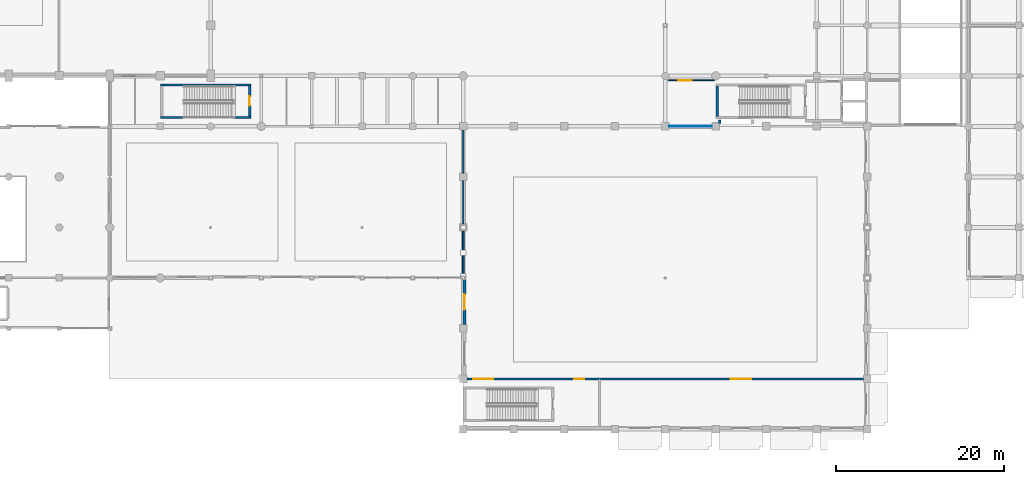
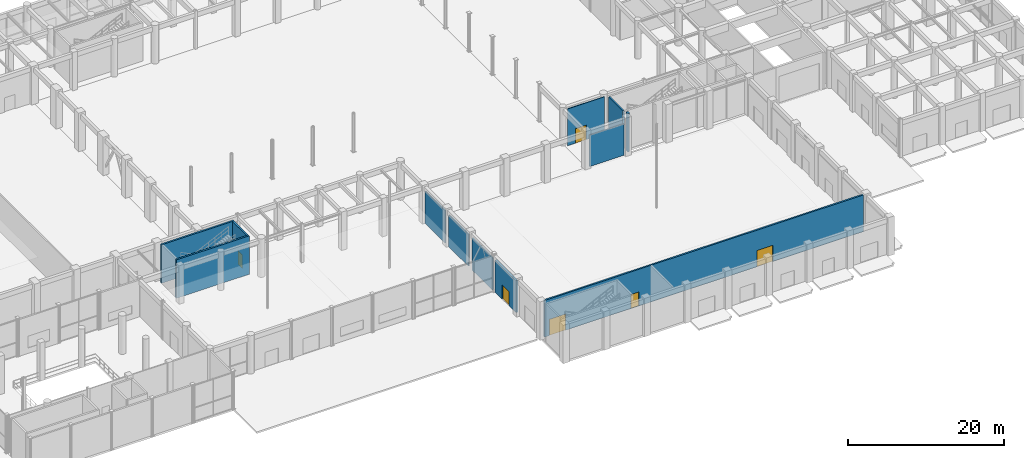
# One storey, part 80 of 106: 12 walls, 6 doors, 6 openings.
"""IFC4 building model written with IfcOpenShell, lengths in metres."""

import ifcopenshell
import ifcopenshell.guid

model = None  # the IFC model being written
_history = None  # IfcOwnerHistory: only IFC2X3 demands one
_inside = {}  # id of a spatial element -> (the spatial element, [elements in it])
_under = {}  # id of a project, library or spatial element -> (it, [spatial elements below it])
_declared = {}  # id of a project -> (the project, [libraries it declares])
_typed = {}  # id of a type object -> (the type object, [elements of that type])
_made_of = {}  # id of a material, layer set ... -> (it, [elements and type objects made of it])


def new_model(schema):
    """Start an empty IFC model of exactly this schema.

    Asked for "IFC4X3", IfcOpenShell would pick the latest addendum, in which some entities
    have other attributes; the version numbers below select the first issue.
    IFC2X3 requires an IfcOwnerHistory on every rooted entity: one is made here for all.
    """
    global model, _history
    if schema == "IFC4X3":
        model = ifcopenshell.file(schema_version=(4, 3, 0, 0))
    else:
        model = ifcopenshell.file(schema=schema)
    _inside.clear()
    _under.clear()
    _declared.clear()
    _typed.clear()
    _made_of.clear()
    _history = None
    if model.schema == "IFC2X3":
        org = make("IfcOrganization", Name="unknown")
        user = make(
            "IfcPersonAndOrganization",
            ThePerson=make("IfcPerson", FamilyName="unknown"),
            TheOrganization=org,
        )
        app = make(
            "IfcApplication",
            ApplicationDeveloper=org,
            Version="unknown",
            ApplicationFullName="unknown",
            ApplicationIdentifier="unknown",
        )
        _history = make(
            "IfcOwnerHistory",
            OwningUser=user,
            OwningApplication=app,
            ChangeAction="ADDED",
            CreationDate=0,
        )
    return model


def make(cls, **values):
    """One entity of the class cls with the attributes given. An attribute that is None is left unset."""
    return model.create_entity(
        cls, **{name: value for name, value in values.items() if value is not None}
    )


def rooted(cls, **values):
    """An entity with a GlobalId (a new one), such as an element, a storey or a relation."""
    return make(cls, GlobalId=ifcopenshell.guid.new(), OwnerHistory=_history, **values)


def si_unit(unit_type, name, prefix=None):
    """IfcSIUnit, for example si_unit("LENGTHUNIT", "METRE", prefix="MILLI")."""
    return make("IfcSIUnit", UnitType=unit_type, Prefix=prefix, Name=name)


def assignment(units):
    """IfcUnitAssignment: the units of a project."""
    return None if units is None else make("IfcUnitAssignment", Units=units)


def point(xyz):
    """IfcCartesianPoint."""
    return None if xyz is None else make("IfcCartesianPoint", Coordinates=xyz)


def direction(xyz):
    """IfcDirection."""
    return None if xyz is None else make("IfcDirection", DirectionRatios=xyz)


def frame(location, z_axis=None, x_axis=None):
    """IfcAxis2Placement3D, a coordinate frame: its origin and axes. An axis left out is left unset."""
    return make(
        "IfcAxis2Placement3D",
        Location=point(location),
        Axis=direction(z_axis),
        RefDirection=direction(x_axis),
    )


def frame_2d(location, x_axis=None):
    """IfcAxis2Placement2D, a coordinate frame in the plane: its origin and x axis."""
    return make(
        "IfcAxis2Placement2D", Location=point(location), RefDirection=direction(x_axis)
    )


def origin():
    """The frame at (0, 0, 0) with its axes left unset."""
    return frame((0.0, 0.0, 0.0))


def place(relative_to, where):
    """IfcLocalPlacement: puts the frame where relative to a parent placement (None: the world)."""
    return make(
        "IfcLocalPlacement", PlacementRelTo=relative_to, RelativePlacement=where
    )


def context(
    kind, dimensions, precision=None, world=None, true_north=None, identifier=None
):
    """IfcGeometricRepresentationContext, for example the 3D "Model" context."""
    return make(
        "IfcGeometricRepresentationContext",
        ContextIdentifier=identifier,
        ContextType=kind,
        CoordinateSpaceDimension=dimensions,
        Precision=precision,
        WorldCoordinateSystem=world,
        TrueNorth=true_north,
    )


def subcontext(parent, identifier, kind, view, scale=None):
    """IfcGeometricRepresentationSubContext, for example "Body" below "Model"."""
    return make(
        "IfcGeometricRepresentationSubContext",
        ContextIdentifier=identifier,
        ContextType=kind,
        ParentContext=parent,
        TargetScale=scale,
        TargetView=view,
    )


def project(units=None, contexts=None):
    """IfcProject with its units and contexts."""
    return rooted(
        "IfcProject",
        Name="project",
        RepresentationContexts=contexts,
        UnitsInContext=assignment(units),
    )


def spatial(cls, under=None, at=None, **own):
    """A site, building, storey or space (cls), placed at a placement, below another one or the project."""
    s = rooted(cls, ObjectPlacement=at, **own)
    if under is not None:
        _under.setdefault(under.id(), (under, []))[1].append(s)
    return s


def profile(cls, at=None, kind="AREA", **sizes):
    """A parametric profile (cls). Its sizes go by their IFC names, for example OverallWidth=200.0."""
    return make(cls, ProfileType=kind, Position=at, **sizes)


def rectangle(**sizes):
    """IfcRectangleProfileDef."""
    return profile("IfcRectangleProfileDef", **sizes)


def extrude(swept, where, along, depth):
    """IfcExtrudedAreaSolid: the profile swept, set in the frame where, extruded along a direction by depth."""
    return make(
        "IfcExtrudedAreaSolid",
        SweptArea=swept,
        Position=where,
        ExtrudedDirection=direction(along),
        Depth=depth,
    )


def shape(context_of_items, identifier, shape_type, items):
    """IfcShapeRepresentation: the items that make up one representation, for example the "Body"."""
    return make(
        "IfcShapeRepresentation",
        ContextOfItems=context_of_items,
        RepresentationIdentifier=identifier,
        RepresentationType=shape_type,
        Items=items,
    )


def material(Name=None, Category=None):
    """IfcMaterial."""
    return make("IfcMaterial", Name=Name, Category=Category)


def layer(
    of_material, thickness, ventilated=None, Name=None, Category=None, Priority=None
):
    """IfcMaterialLayer: one layer of a wall or slab, of a material (None: an air gap)."""
    return make(
        "IfcMaterialLayer",
        Material=of_material,
        LayerThickness=thickness,
        IsVentilated=ventilated,
        Name=Name,
        Category=Category,
        Priority=Priority,
    )


def layer_set(layers, Name=None):
    """IfcMaterialLayerSet."""
    return make("IfcMaterialLayerSet", MaterialLayers=layers, LayerSetName=Name)


def made_of(thing, what):
    """Note that an element or type object is made of a material, layer set ...; save() writes the relation."""
    if what is not None:
        _made_of.setdefault(what.id(), (what, []))[1].append(thing)
    return thing


def type_object(cls, material=None, **own):
    """A type object (cls), such as IfcWallType, which elements share."""
    return made_of(rooted(cls, **own), material)


def element(
    cls,
    number,
    at=None,
    inside=None,
    cuts=None,
    type_object=None,
    material=None,
    context=None,
    identifier="Body",
    shape_type=None,
    held_by="IfcProductDefinitionShape",
    body=None,
    shapes=None,
    **own,
):
    """One element of the class cls, such as IfcWall. Its Tag is "e" and its number.

    at: its placement. inside: the storey or other place that contains it. cuts: it is an
    opening in that element (IfcRelVoidsElement). A single representation is given by context,
    identifier, shape_type and body (its items); several are given by shapes. held_by: the class
    of the entity that holds the representations. save() writes the other relations.
    """
    e = rooted(cls, Tag="e%d" % number, ObjectPlacement=at, **own)
    if body is not None:
        shapes = [shape(context, identifier, shape_type, body)]
    if shapes is not None:
        e.Representation = make(held_by, Representations=shapes)
    if inside is not None:
        _inside.setdefault(inside.id(), (inside, []))[1].append(e)
    if cuts is not None:
        rooted(
            "IfcRelVoidsElement", RelatingBuildingElement=cuts, RelatedOpeningElement=e
        )
    if type_object is not None:
        _typed.setdefault(type_object.id(), (type_object, []))[1].append(e)
    return made_of(e, material)


def fill(opening, filler):
    """IfcRelFillsElement: the door or window that sits in an opening."""
    return rooted(
        "IfcRelFillsElement",
        RelatingOpeningElement=opening,
        RelatedBuildingElement=filler,
    )


def aggregate(whole, parts):
    """IfcRelAggregates: a whole, such as a stair, and the parts it consists of."""
    return rooted("IfcRelAggregates", RelatingObject=whole, RelatedObjects=parts)


def save(model, path):
    """Write the relations noted so far, then the file.

    IfcRelAggregates (storeys below a building ...), IfcRelContainedInSpatialStructure (elements
    in a storey), IfcRelDefinesByType, IfcRelAssociatesMaterial and IfcRelDeclares: one each for
    every whole, place, type object, material and project.
    """
    for whole, parts in _under.values():
        aggregate(whole, parts)
    for where, things in _inside.values():
        rooted(
            "IfcRelContainedInSpatialStructure",
            RelatedElements=things,
            RelatingStructure=where,
        )
    for kind, things in _typed.values():
        rooted("IfcRelDefinesByType", RelatedObjects=things, RelatingType=kind)
    for what, things in _made_of.values():
        rooted("IfcRelAssociatesMaterial", RelatedObjects=things, RelatingMaterial=what)
    for by, libraries in _declared.values():
        rooted("IfcRelDeclares", RelatingContext=by, RelatedDefinitions=libraries)
    model.write(path)


model = new_model("IFC4")

# Units and contexts
model_context = context("Model", 3, precision=1e-05, world=origin(), true_north=direction((0.0, 1.0)))
body_context = subcontext(model_context, "Body", "Model", "MODEL_VIEW")
ifc_project = project(units=[si_unit("LENGTHUNIT", "METRE"), si_unit("AREAUNIT", "SQUARE_METRE"), si_unit("VOLUMEUNIT", "CUBIC_METRE"), si_unit("PLANEANGLEUNIT", "RADIAN"), si_unit("MASSUNIT", "GRAM", prefix="KILO"), si_unit("THERMODYNAMICTEMPERATUREUNIT", "KELVIN"), si_unit("POWERUNIT", "WATT")], contexts=[model_context])

# Site, building, storey
site_placement = place(None, origin())
site = spatial("IfcSite", under=ifc_project, at=site_placement, CompositionType="ELEMENT")
building_placement = place(site_placement, origin())
building = spatial("IfcBuilding", under=site, at=building_placement, Name="Phaisarnlok Congress Hotel", CompositionType="ELEMENT")
storey_placement = place(building_placement, origin())
storey = spatial("IfcBuildingStorey", under=building, at=storey_placement, Name="L00", CompositionType="ELEMENT", Elevation=0.0)

# Wall, opening, door
ifc_material_1 = material(Name="Concrete C40/50", Category="concrete")
ifc_layer_1 = layer(ifc_material_1, 0.320068359375, Name="Concrete C40/50")
ifc_layer_set_1 = layer_set([ifc_layer_1], Name="Concrete C40/50")
wall_type_1 = type_object("IfcWallType", Name="WL-EXT-320", PredefinedType="SOLIDWALL", material=ifc_layer_set_1)
wall_1_placement = place(storey_placement, frame((96.159912109375, 17.791748046875, 0.0), z_axis=(0.0, 0.0, 1.0), x_axis=(0.0, -1.0, 0.0)))
wall_1 = element("IfcWall", 1, at=wall_1_placement, inside=storey, type_object=wall_type_1, Name="Exterior wall EW-02 (L00)", PredefinedType="SOLIDWALL", context=body_context, shape_type="SweptSolid", body=[
    extrude(rectangle(XDim=5.336669921875, YDim=0.320068359375, at=frame_2d((2.66845703125, 0.0))), origin(), (0.0, 0.0, 1.0), 4.989990234375),
])
opening_1_placement = place(wall_1_placement, frame((1.76806640625, 0.0, 0.0)))
opening_1 = element("IfcOpeningElement", 2, at=opening_1_placement, cuts=wall_1, Name="Opening FE-02", PredefinedType="OPENING", context=body_context, shape_type="SweptSolid", body=[
    extrude(rectangle(XDim=1.800048828125, YDim=2.25, at=frame_2d((0.89990234375, 1.125))), frame((0.0, 0.169921875, 0.0), z_axis=(0.0, -1.0, 0.0), x_axis=(1.0, 0.0, 0.0)), (0.0, 0.0, 1.0), 0.340087890625),
])
ifc_material_2 = material(Name="Powder-Coated Steel & Laminated Safety Glass", Category="steel")
door_type_1 = type_object("IfcDoorType", Name="DR-EXIT-1800", OperationType="DOUBLE_DOOR_SINGLE_SWING", PredefinedType="DOOR", material=ifc_material_2)
door_1_placement = place(opening_1_placement, frame((1.800048828125, 0.0, 0.0), z_axis=(0.0, 0.0, 1.0), x_axis=(-1.0, 0.0, 0.0)))
door_1 = element("IfcDoor", 3, at=door_1_placement, inside=storey, type_object=door_type_1, Name="Ground final exit door FE-02", OperationType="SINGLE_SWING_LEFT", OverallHeight=2.25, OverallWidth=1.800048828125, PredefinedType="DOOR", context=body_context, shape_type="SweptSolid", body=[
    extrude(rectangle(XDim=1.800048828125, YDim=2.25, at=frame_2d((0.89990234375, 1.125))), frame((0.0, 0.02490234375, 0.0), z_axis=(0.0, -1.0, 0.0), x_axis=(1.0, 0.0, 0.0)), (0.0, 0.0, 1.0), 0.050048828125),
])
fill(opening_1, door_1)

# Wall
ifc_material_3 = material(Name="Service Riser Shaftwall Partition", Category="gypsum")
ifc_layer_2 = layer(ifc_material_3, 0.10498046875, Name="Service Riser Shaftwall Partition")
ifc_layer_set_2 = layer_set([ifc_layer_2], Name="Service Riser Shaftwall Partition")
wall_type_2 = type_object("IfcWallType", Name="WL-INT-105", PredefinedType="PARTITIONING", material=ifc_layer_set_2)
wall_2_placement = place(storey_placement, frame((120.455078125, 36.0, 0.0), z_axis=(0.0, 0.0, 1.0), x_axis=(1.0, 0.0, 0.0)))
element("IfcWall", 4, at=wall_2_placement, inside=storey, type_object=wall_type_2, Name="Interior partition wall IW-08 (L00)", PredefinedType="PARTITIONING", context=body_context, shape_type="SweptSolid", body=[
    extrude(rectangle(XDim=5.08984375, YDim=0.10498046875, at=frame_2d((2.544921875, 0.0))), origin(), (0.0, 0.0, 1.0), 4.93994140625),
])

# Wall, opening, door
ifc_material_4 = material(Name="Lightweight Metal-Stud Gypsum Partition", Category="gypsum")
ifc_layer_3 = layer(ifc_material_4, 0.1201171875, Name="Lightweight Metal-Stud Gypsum Partition")
ifc_layer_set_3 = layer_set([ifc_layer_3], Name="Lightweight Metal-Stud Gypsum Partition")
wall_type_3 = type_object("IfcWallType", Name="WL-INT-120", PredefinedType="PARTITIONING", material=ifc_layer_set_3)
wall_3_placement = place(storey_placement, frame((120.3701171875, 41.449951171875, 0.0), z_axis=(0.0, 0.0, 1.0), x_axis=(1.0, 0.0, 0.0)))
wall_3 = element("IfcWall", 5, at=wall_3_placement, inside=storey, type_object=wall_type_3, Name="Interior partition wall IW-07 (L00)", PredefinedType="PARTITIONING", context=body_context, shape_type="SweptSolid", body=[
    extrude(rectangle(XDim=5.449951171875, YDim=0.1201171875, at=frame_2d((2.72509765625, 0.0))), origin(), (0.0, 0.0, 1.0), 5.739990234375),
])
opening_2_placement = place(wall_3_placement, frame((1.14990234375, 0.0, 0.0)))
opening_2 = element("IfcOpeningElement", 6, at=opening_2_placement, cuts=wall_3, Name="Opening D-0053", PredefinedType="OPENING", context=body_context, shape_type="SweptSolid", body=[
    extrude(rectangle(XDim=1.60009765625, YDim=2.25, at=frame_2d((0.800048828125, 1.125))), frame((0.0, 0.070068359375, 0.0), z_axis=(0.0, -1.0, 0.0), x_axis=(1.0, 0.0, 0.0)), (0.0, 0.0, 1.0), 0.14013671875),
])
ifc_material_5 = material(Name="Frameless Tempered Acoustic Glass", Category="glass")
door_type_2 = type_object("IfcDoorType", Name="DR-GLZ-1600", OperationType="DOUBLE_DOOR_SINGLE_SWING", PredefinedType="DOOR", material=ifc_material_5)
door_2_placement = place(opening_2_placement, origin())
door_2 = element("IfcDoor", 7, at=door_2_placement, inside=storey, type_object=door_type_2, Name="Interior door D-0053 (L00)", OperationType="DOUBLE_DOOR_SINGLE_SWING", OverallHeight=2.25, OverallWidth=1.60009765625, PredefinedType="DOOR", context=body_context, shape_type="SweptSolid", body=[
    extrude(rectangle(XDim=1.60009765625, YDim=2.25, at=frame_2d((0.800048828125, 1.125))), frame((0.0, 0.02490234375, 0.0), z_axis=(0.0, -1.0, 0.0), x_axis=(1.0, 0.0, 0.0)), (0.0, 0.0, 1.0), 0.050048828125),
])
fill(opening_2, door_2)

# Walls
ifc_material_6 = material(Name="Acoustic Gypsum Board & Mineral Wool", Category="gypsum")
ifc_layer_4 = layer(ifc_material_6, 0.14990234375, Name="Acoustic Gypsum Board & Mineral Wool")
ifc_layer_set_4 = layer_set([ifc_layer_4], Name="Acoustic Gypsum Board & Mineral Wool")
wall_type_4 = type_object("IfcWallType", Name="WL-INT-150", PredefinedType="PARTITIONING", material=ifc_layer_set_4)
wall_4_placement = place(storey_placement, frame((96.0, 30.455078125, 0.0), z_axis=(0.0, 0.0, 1.0), x_axis=(0.0, 1.0, 0.0)))
element("IfcWall", 8, at=wall_4_placement, inside=storey, type_object=wall_type_4, Name="Interior partition wall IW-05 (L00)", PredefinedType="PARTITIONING", context=body_context, shape_type="SweptSolid", body=[
    extrude(rectangle(XDim=5.08984375, YDim=0.14990234375, at=frame_2d((2.544921875, 0.0))), origin(), (0.0, 0.0, 1.0), 5.0400390625),
])
ifc_material_7 = material(Name="Double-Stud Acoustic Gypsum Partition", Category="gypsum")
ifc_layer_5 = layer(ifc_material_7, 0.159912109375, Name="Double-Stud Acoustic Gypsum Partition")
ifc_layer_set_5 = layer_set([ifc_layer_5], Name="Double-Stud Acoustic Gypsum Partition")
wall_type_5 = type_object("IfcWallType", Name="WL-INT-160", PredefinedType="PARTITIONING", material=ifc_layer_set_5)
wall_5_placement = place(storey_placement, frame((96.0, 24.455078125, 0.0), z_axis=(0.0, 0.0, 1.0), x_axis=(0.0, 1.0, 0.0)))
element("IfcWall", 9, at=wall_5_placement, inside=storey, type_object=wall_type_5, Name="Interior partition wall IW-04 (L00)", PredefinedType="PARTITIONING", context=body_context, shape_type="SweptSolid", body=[
    extrude(rectangle(XDim=5.08984375, YDim=0.159912109375, at=frame_2d((2.544921875, 0.0))), origin(), (0.0, 0.0, 1.0), 4.93994140625),
])
ifc_material_8 = material(Name="Autoclaved Aerated Concrete Block", Category="concrete")
ifc_layer_6 = layer(ifc_material_8, 0.179931640625, Name="Autoclaved Aerated Concrete Block")
ifc_layer_set_6 = layer_set([ifc_layer_6], Name="Autoclaved Aerated Concrete Block")
wall_type_6 = type_object("IfcWallType", Name="WL-INT-180", PredefinedType="PARTITIONING", material=ifc_layer_set_6)
wall_6_placement = place(storey_placement, frame((96.0, 18.3701171875, 0.0), z_axis=(0.0, 0.0, 1.0), x_axis=(0.0, 1.0, 0.0)))
element("IfcWall", 10, at=wall_6_placement, inside=storey, type_object=wall_type_6, Name="Interior partition wall IW-03 (L00)", PredefinedType="PARTITIONING", context=body_context, shape_type="SweptSolid", body=[
    extrude(rectangle(XDim=5.1748046875, YDim=0.179931640625, at=frame_2d((2.58740234375, 0.0))), origin(), (0.0, 0.0, 1.0), 4.989990234375),
])

# Wall, openings, doors
ifc_layer_7 = layer(ifc_material_1, 0.239990234375, Name="Concrete C40/50")
ifc_layer_set_7 = layer_set([ifc_layer_7], Name="Concrete C40/50")
wall_type_7 = type_object("IfcWallType", Name="WL-INT-240", PredefinedType="PARTITIONING", material=ifc_layer_set_7)
wall_7_placement = place(storey_placement, frame((96.455078125, 6.0, 0.0), z_axis=(0.0, 0.0, 1.0), x_axis=(1.0, 0.0, 0.0)))
wall_7 = element("IfcWall", 11, at=wall_7_placement, inside=storey, type_object=wall_type_7, Name="Interior partition wall IW-01 (L00)", PredefinedType="PARTITIONING", context=body_context, shape_type="SweptSolid", body=[
    extrude(rectangle(XDim=47.08984375, YDim=0.239990234375, at=frame_2d((23.544921875, 0.0))), origin(), (0.0, 0.0, 1.0), 5.739990234375),
])
opening_3_placement = place(wall_7_placement, frame((12.7451171875, 0.0, 0.0)))
opening_3 = element("IfcOpeningElement", 12, at=opening_3_placement, cuts=wall_7, Name="Opening D-0029", PredefinedType="OPENING", context=body_context, shape_type="SweptSolid", body=[
    extrude(rectangle(XDim=1.199951171875, YDim=2.199951171875, at=frame_2d((0.60009765625, 1.10009765625))), frame((0.0, 0.1298828125, 0.0), z_axis=(0.0, -1.0, 0.0), x_axis=(1.0, 0.0, 0.0)), (0.0, 0.0, 1.0), 0.260009765625),
])
opening_4_placement = place(wall_7_placement, frame((31.344970703125, 0.0, 0.0)))
opening_4 = element("IfcOpeningElement", 13, at=opening_4_placement, cuts=wall_7, Name="Opening D-0032", PredefinedType="OPENING", context=body_context, shape_type="SweptSolid", body=[
    extrude(rectangle(XDim=2.39990234375, YDim=2.550048828125, at=frame_2d((1.199951171875, 1.27490234375))), frame((0.0, 0.1298828125, 0.0), z_axis=(0.0, -1.0, 0.0), x_axis=(1.0, 0.0, 0.0)), (0.0, 0.0, 1.0), 0.260009765625),
])
opening_5_placement = place(wall_7_placement, frame((0.715087890625, 0.0, 0.0)))
opening_5 = element("IfcOpeningElement", 14, at=opening_5_placement, cuts=wall_7, Name="Opening D-0050", PredefinedType="OPENING", context=body_context, shape_type="SweptSolid", body=[
    extrude(rectangle(XDim=2.39990234375, YDim=2.550048828125, at=frame_2d((1.199951171875, 1.27490234375))), frame((0.0, 0.1298828125, 0.0), z_axis=(0.0, -1.0, 0.0), x_axis=(1.0, 0.0, 0.0)), (0.0, 0.0, 1.0), 0.260009765625),
])
ifc_material_9 = material(Name="Fire-Rated Steel Frame & Timber Leaf", Category="steel")
door_type_3 = type_object("IfcDoorType", Name="DR-FD60-1200", OperationType="NOTDEFINED", PredefinedType="DOOR", material=ifc_material_9)
door_3_placement = place(opening_3_placement, origin())
door_3 = element("IfcDoor", 15, at=door_3_placement, inside=storey, type_object=door_type_3, Name="Interior door D-0029 (L00)", OperationType="SINGLE_SWING_RIGHT", OverallHeight=2.199951171875, OverallWidth=1.199951171875, PredefinedType="DOOR", context=body_context, shape_type="SweptSolid", body=[
    extrude(rectangle(XDim=1.199951171875, YDim=2.199951171875, at=frame_2d((0.60009765625, 1.10009765625))), frame((0.0, 0.02490234375, 0.0), z_axis=(0.0, -1.0, 0.0), x_axis=(1.0, 0.0, 0.0)), (0.0, 0.0, 1.0), 0.050048828125),
])
fill(opening_3, door_3)
ifc_material_10 = material(Name="Acoustic Ballroom Double Door", Category="wood")
door_type_4 = type_object("IfcDoorType", Name="DR-HALL-2400", OperationType="DOUBLE_DOOR_SINGLE_SWING", PredefinedType="DOOR", material=ifc_material_10)
door_4_placement = place(opening_4_placement, origin())
door_4 = element("IfcDoor", 16, at=door_4_placement, inside=storey, type_object=door_type_4, Name="Interior door D-0032 (L00)", OperationType="DOUBLE_DOOR_SINGLE_SWING", OverallHeight=2.550048828125, OverallWidth=2.39990234375, PredefinedType="DOOR", context=body_context, shape_type="SweptSolid", body=[
    extrude(rectangle(XDim=2.39990234375, YDim=2.550048828125, at=frame_2d((1.199951171875, 1.27490234375))), frame((0.0, 0.02490234375, 0.0), z_axis=(0.0, -1.0, 0.0), x_axis=(1.0, 0.0, 0.0)), (0.0, 0.0, 1.0), 0.050048828125),
])
fill(opening_4, door_4)
door_5_placement = place(opening_5_placement, origin())
door_5 = element("IfcDoor", 17, at=door_5_placement, inside=storey, type_object=door_type_4, Name="Interior door D-0050 (L00)", OperationType="DOUBLE_DOOR_SINGLE_SWING", OverallHeight=2.550048828125, OverallWidth=2.39990234375, PredefinedType="DOOR", context=body_context, shape_type="SweptSolid", body=[
    extrude(rectangle(XDim=2.39990234375, YDim=2.550048828125, at=frame_2d((1.199951171875, 1.27490234375))), frame((0.0, 0.02490234375, 0.0), z_axis=(0.0, -1.0, 0.0), x_axis=(1.0, 0.0, 0.0)), (0.0, 0.0, 1.0), 0.050048828125),
])
fill(opening_5, door_5)

# Walls
ifc_material_11 = material(Name="Concrete C50/60", Category="concrete")
ifc_layer_8 = layer(ifc_material_11, 0.260009765625, Name="Concrete C50/60")
ifc_layer_set_8 = layer_set([ifc_layer_8], Name="Concrete C50/60")
wall_type_8 = type_object("IfcWallType", Name="WL-SHR-260", PredefinedType="SHEAR", material=ifc_layer_set_8)
wall_8_placement = place(storey_placement, frame((126.169921875, 37.199951171875, 0.0), z_axis=(0.0, 0.0, 1.0), x_axis=(0.0, 1.0, 0.0)))
element("IfcWall", 18, at=wall_8_placement, inside=storey, type_object=wall_type_8, Name="Stair shaft shear wall SW-04 (CORE-6 L00)", PredefinedType="SHEAR", context=body_context, shape_type="SweptSolid", body=[
    extrude(rectangle(XDim=3.60009765625, YDim=0.260009765625, at=frame_2d((1.800048828125, 0.0))), origin(), (0.0, 0.0, 1.0), 6.0),
])
wall_9_placement = place(storey_placement, frame((126.469970703125, 36.330078125, 0.0), z_axis=(0.0, 0.0, 1.0), x_axis=(0.0, 1.0, 0.0)))
element("IfcWall", 19, at=wall_9_placement, inside=storey, type_object=wall_type_8, Name="Service riser shaft wall SW-04 (CORE-6 L00)", PredefinedType="SHEAR", context=body_context, shape_type="SweptSolid", body=[
    extrude(rectangle(XDim=0.43994140625, YDim=0.260009765625, at=frame_2d((0.219970703125, 0.0))), origin(), (0.0, 0.0, 1.0), 6.0),
])
for number, where, z_axis, x_axis, name in (
    (20, (60.0400390625, 37.070068359375, 0.0), (0.0, 0.0, 1.0), (1.0, 0.0, 0.0), "Stair shaft shear wall SW-04 (STAIR-POD-S L00)"),
    (21, (60.0400390625, 40.929931640625, 0.0), (0.0, 0.0, 1.0), (1.0, 0.0, 0.0), "Stair shaft shear wall SW-04 (STAIR-POD-S L00)"),
):
    element("IfcWall", number, at=place(storey_placement, frame(where, z_axis=z_axis, x_axis=x_axis)), inside=storey, type_object=wall_type_8, Name=name, PredefinedType="SHEAR", context=body_context, shape_type="SweptSolid", body=[
        extrude(rectangle(XDim=10.719970703125, YDim=0.260009765625, at=frame_2d((5.35986328125, 0.0))), origin(), (0.0, 0.0, 1.0), 6.0),
    ])

# Wall, opening, door
wall_10_placement = place(storey_placement, frame((70.6298828125, 37.199951171875, 0.0), z_axis=(0.0, 0.0, 1.0), x_axis=(0.0, 1.0, 0.0)))
wall_10 = element("IfcWall", 22, at=wall_10_placement, inside=storey, type_object=wall_type_8, Name="Stair shaft shear wall SW-04 (STAIR-POD-S L00)", PredefinedType="SHEAR", context=body_context, shape_type="SweptSolid", body=[
    extrude(rectangle(XDim=3.60009765625, YDim=0.260009765625, at=frame_2d((1.800048828125, 0.0))), origin(), (0.0, 0.0, 1.0), 6.0),
])
opening_6_placement = place(wall_10_placement, frame((1.25, 0.0, 0.0)))
opening_6 = element("IfcOpeningElement", 23, at=opening_6_placement, cuts=wall_10, Name="Opening FD-156", PredefinedType="OPENING", context=body_context, shape_type="SweptSolid", body=[
    extrude(rectangle(XDim=1.10009765625, YDim=2.14990234375, at=frame_2d((0.550048828125, 1.074951171875))), frame((0.0, 0.14013671875, 0.0), z_axis=(0.0, -1.0, 0.0), x_axis=(1.0, 0.0, 0.0)), (0.0, 0.0, 1.0), 0.280029296875),
])
door_type_5 = type_object("IfcDoorType", Name="DR-FD60-1100", OperationType="NOTDEFINED", PredefinedType="DOOR", material=ifc_material_9)
door_6_placement = place(opening_6_placement, origin())
door_6 = element("IfcDoor", 24, at=door_6_placement, inside=storey, type_object=door_type_5, Name="Stair enclosure fire door FD-156 (L00)", OperationType="SINGLE_SWING_LEFT", OverallHeight=2.14990234375, OverallWidth=1.10009765625, PredefinedType="DOOR", context=body_context, shape_type="SweptSolid", body=[
    extrude(rectangle(XDim=1.10009765625, YDim=2.14990234375, at=frame_2d((0.550048828125, 1.074951171875))), frame((0.0, 0.02490234375, 0.0), z_axis=(0.0, -1.0, 0.0), x_axis=(1.0, 0.0, 0.0)), (0.0, 0.0, 1.0), 0.050048828125),
])
fill(opening_6, door_6)

save(model, "model.ifc")
